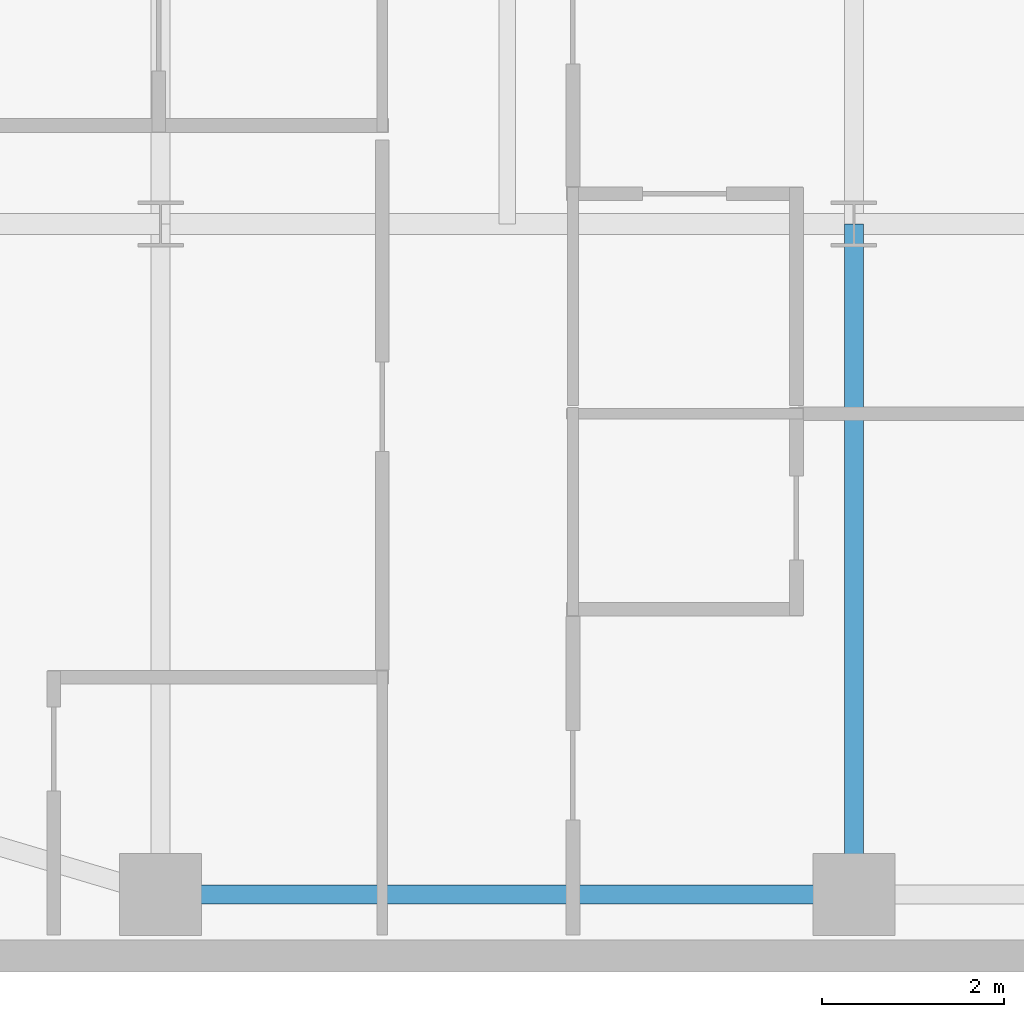
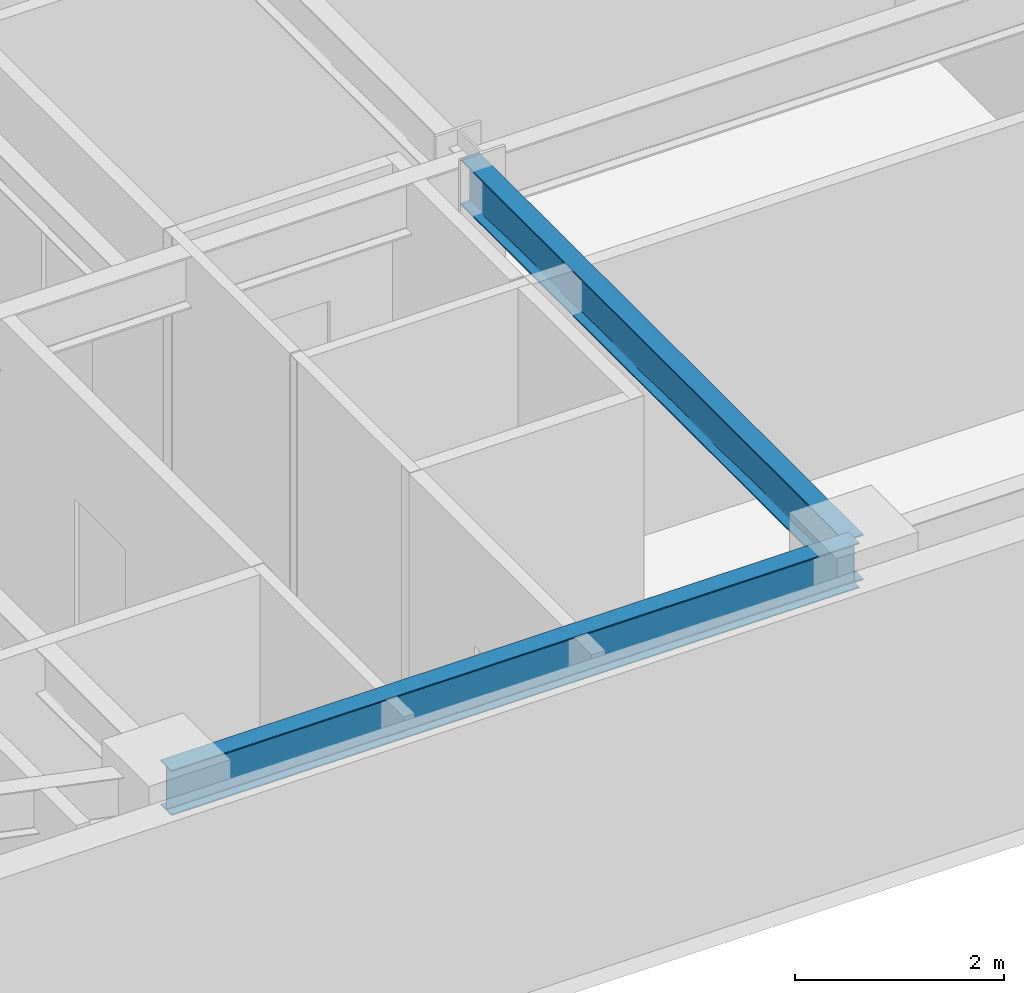
# One storey, part 3 of 30: 2 beams.
"""IFC4 building model written with IfcOpenShell, lengths in metres."""

from ifc_helpers import new_model, si_unit, direction, frame, origin, origin_2d, place, context, subcontext, project, spatial, i_section, extrude, source, transform, mapped, material, material_profile, profile_set, type_object, type_shapes, element, save


model = new_model("IFC4")

# Units and contexts
model_context = context("Model", 3, precision=1e-05, world=origin(), true_north=direction((0.0, 1.0)))
body_context = subcontext(model_context, "Body", "Model", "MODEL_VIEW")
ifc_project = project(units=[si_unit("LENGTHUNIT", "METRE"), si_unit("AREAUNIT", "SQUARE_METRE"), si_unit("VOLUMEUNIT", "CUBIC_METRE"), si_unit("PLANEANGLEUNIT", "RADIAN"), si_unit("MASSUNIT", "GRAM", prefix="KILO")], contexts=[model_context])

# Site, building, storey
site_placement = place(None, origin())
site = spatial("IfcSite", under=ifc_project, at=site_placement, CompositionType="ELEMENT")
building_placement = place(site_placement, origin())
building = spatial("IfcBuilding", under=site, at=building_placement, Name="Tolvann Quenvar Hotel", CompositionType="ELEMENT")
storey_placement = place(building_placement, frame((0.0, 0.0, 100.89990234375)))
storey = spatial("IfcBuildingStorey", under=building, at=storey_placement, Name="L25", CompositionType="ELEMENT", Elevation=100.89990234375)

# Beams
ifc_material = material(Name="Steel Grade 350", Category="steel")
ifc_material_profile_1 = material_profile(ifc_material, i_section(OverallWidth=0.208984375, OverallDepth=0.528076171875, WebThickness=0.009521484375, FlangeThickness=0.01318359375, FilletRadius=0.013916015625, at=origin_2d()), Name="530UB82")
ifc_profile_set_1 = profile_set([ifc_material_profile_1], Name="Steel Grade 350")
beam_type_1 = type_object("IfcBeamType", Name="BM_SPAND_530UB82", PredefinedType="SPANDREL", material=ifc_profile_set_1)
shared_shape_1 = source(origin(), body_context, "Body", "SweptSolid", [
    extrude(i_section(OverallWidth=0.208984375, OverallDepth=0.528076171875, WebThickness=0.009521484375, FlangeThickness=0.01318359375, FilletRadius=0.013916015625, at=origin_2d()), origin(), (0.0, 0.0, 1.0), 7.599853515625),
])
type_shapes(beam_type_1, [shared_shape_1])
beam_1_placement = place(storey_placement, frame((7.60009765625, 0.85009765625, 3.106201171875), z_axis=(1.0, 0.0, 0.0), x_axis=(0.0, 1.0, 0.0)))
element("IfcBeam", 1, at=beam_1_placement, inside=storey, type_object=beam_type_1, Name="BM-L25-EW-2-C2-D2", PredefinedType="SPANDREL", context=body_context, shape_type="MappedRepresentation", body=[
    mapped(shared_shape_1, transform((0.0, 0.0, 0.0), x_axis=(1.0, 0.0, 0.0), y_axis=(0.0, 1.0, 0.0), z_axis=(0.0, 0.0, 1.0), scale=1.0)),
])
ifc_material_profile_2 = material_profile(ifc_material, i_section(OverallWidth=0.208984375, OverallDepth=0.532958984375, WebThickness=0.01025390625, FlangeThickness=0.015625, FilletRadius=0.013916015625, at=origin_2d()), Name="530UB92")
ifc_profile_set_2 = profile_set([ifc_material_profile_2], Name="Steel Grade 350")
beam_type_2 = type_object("IfcBeamType", Name="BM_GIRD_530UB92", PredefinedType="BEAM", material=ifc_profile_set_2)
shared_shape_2 = source(origin(), body_context, "Body", "SweptSolid", [
    extrude(i_section(OverallWidth=0.208984375, OverallDepth=0.532958984375, WebThickness=0.01025390625, FlangeThickness=0.015625, FilletRadius=0.013916015625, at=origin_2d()), origin(), (0.0, 0.0, 1.0), 7.349853515625),
])
type_shapes(beam_type_2, [shared_shape_2])
beam_2_placement = place(storey_placement, frame((15.199951171875, 0.85009765625, 3.103515625), z_axis=(0.0, 1.0, 0.0), x_axis=(-1.0, 0.0, 0.0)))
element("IfcBeam", 2, at=beam_2_placement, inside=storey, type_object=beam_type_2, Name="BM-L25-NS-D2-D3", PredefinedType="BEAM", context=body_context, shape_type="MappedRepresentation", body=[
    mapped(shared_shape_2, transform((0.0, 0.0, 0.0), x_axis=(1.0, 0.0, 0.0), y_axis=(0.0, 1.0, 0.0), z_axis=(0.0, 0.0, 1.0), scale=1.0)),
])

save(model, "model.ifc")
